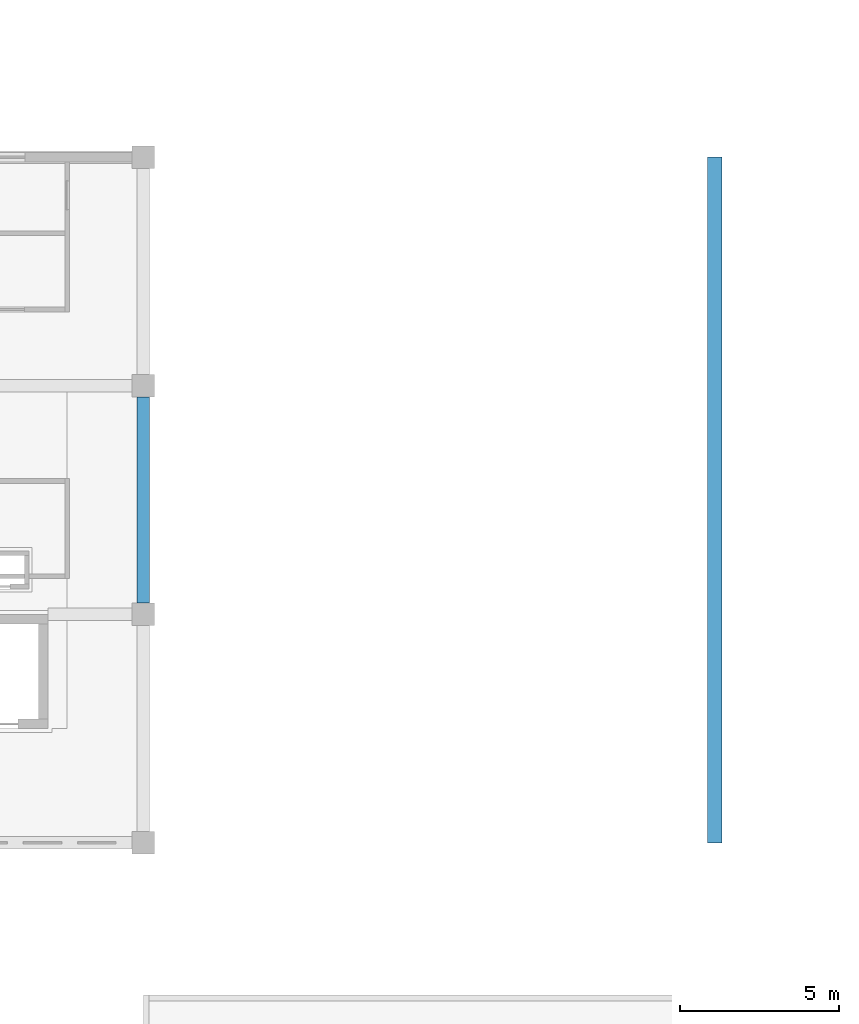
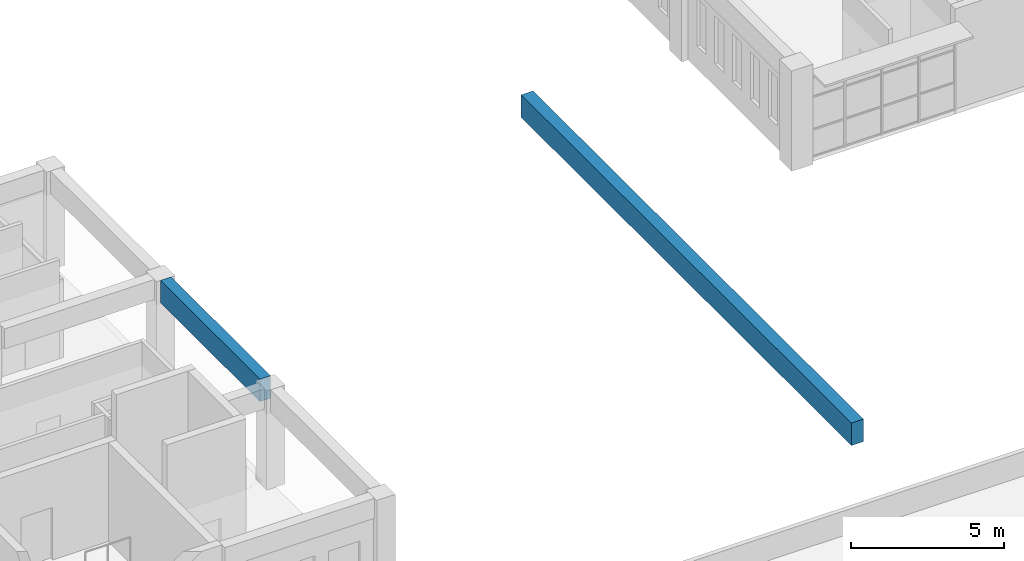
# One storey, part 5 of 47: 2 beams.
"""IFC4 building model written with IfcOpenShell, lengths in metres."""

from ifc_helpers import new_model, si_unit, direction, frame, origin, origin_2d, place, context, subcontext, project, spatial, rectangle, extrude, material, material_profile, profile_set, type_object, element, save


model = new_model("IFC4")

# Units and contexts
model_context = context("Model", 3, precision=1e-05, world=origin(), true_north=direction((0.0, 1.0)))
body_context = subcontext(model_context, "Body", "Model", "MODEL_VIEW")
ifc_project = project(units=[si_unit("LENGTHUNIT", "METRE"), si_unit("AREAUNIT", "SQUARE_METRE"), si_unit("VOLUMEUNIT", "CUBIC_METRE"), si_unit("PLANEANGLEUNIT", "RADIAN"), si_unit("MASSUNIT", "GRAM", prefix="KILO")], contexts=[model_context])

# Site, building, storey
site_placement = place(None, origin())
site = spatial("IfcSite", under=ifc_project, at=site_placement, CompositionType="ELEMENT")
building_placement = place(site_placement, origin())
building = spatial("IfcBuilding", under=site, at=building_placement, Name="Laocheng Heights Fire and Rescue Headquarters", CompositionType="ELEMENT")
storey_placement = place(building_placement, frame((0.0, 0.0, 16.800048828125)))
storey = spatial("IfcBuildingStorey", under=building, at=storey_placement, Name="L04", CompositionType="ELEMENT", Elevation=16.800048828125)

# Beams
ifc_material_1 = material(Name="Concrete C40", Category="concrete")
ifc_material_profile_1 = material_profile(ifc_material_1, rectangle(XDim=0.39990234375, YDim=0.89990234375, at=origin_2d()), Name="RC BEAM 400x900 FOYER")
ifc_profile_set_1 = profile_set([ifc_material_profile_1], Name="Concrete C40")
beam_type_1 = type_object("IfcBeamType", Name="RC BEAM 400x900 FOYER", PredefinedType="BEAM", material=ifc_profile_set_1)
beam_1_placement = place(storey_placement, frame((12.0, 43.550048828125, 3.5), z_axis=(0.0, 1.0, 0.0), x_axis=(-1.0, 0.0, 0.0)))
element("IfcBeam", 1, at=beam_1_placement, inside=storey, type_object=beam_type_1, Name="Foyer beam L04", PredefinedType="BEAM", context=body_context, shape_type="SweptSolid", body=[
    extrude(rectangle(XDim=0.39990234375, YDim=0.89990234375, at=origin_2d()), origin(), (0.0, 0.0, 1.0), 6.5),
])
ifc_material_2 = material(Name="Concrete C50", Category="concrete")
ifc_material_profile_2 = material_profile(ifc_material_2, rectangle(XDim=0.449951171875, YDim=0.89990234375, at=origin_2d()), Name="RC BEAM 450x900 FOLD EDGE")
ifc_profile_set_2 = profile_set([ifc_material_profile_2], Name="Concrete C50")
beam_type_2 = type_object("IfcBeamType", Name="RC BEAM 450x900 FOLD EDGE", PredefinedType="BEAM", material=ifc_profile_set_2)
beam_2_placement = place(storey_placement, frame((30.0, 36.0, 0.0361328125), z_axis=(0.0, 1.0, 0.0), x_axis=(-1.0, 0.0, 0.0)))
element("IfcBeam", 2, at=beam_2_placement, inside=storey, type_object=beam_type_2, Name="Theatre fold edge beam", PredefinedType="BEAM", context=body_context, shape_type="SweptSolid", body=[
    extrude(rectangle(XDim=0.449951171875, YDim=0.89990234375, at=origin_2d()), origin(), (0.0, 0.0, 1.0), 21.60009765625),
])

save(model, "model.ifc")
